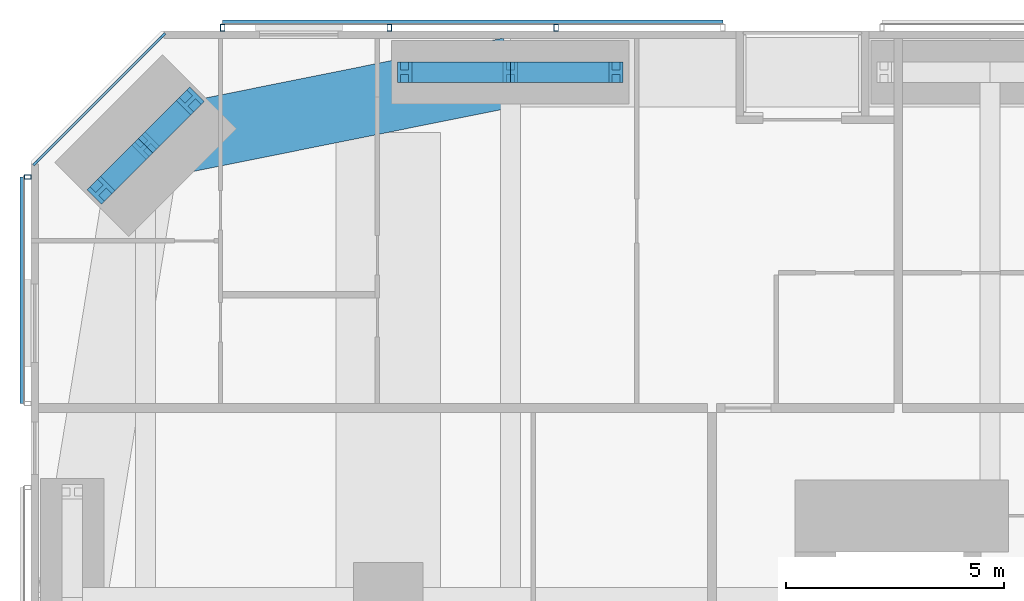
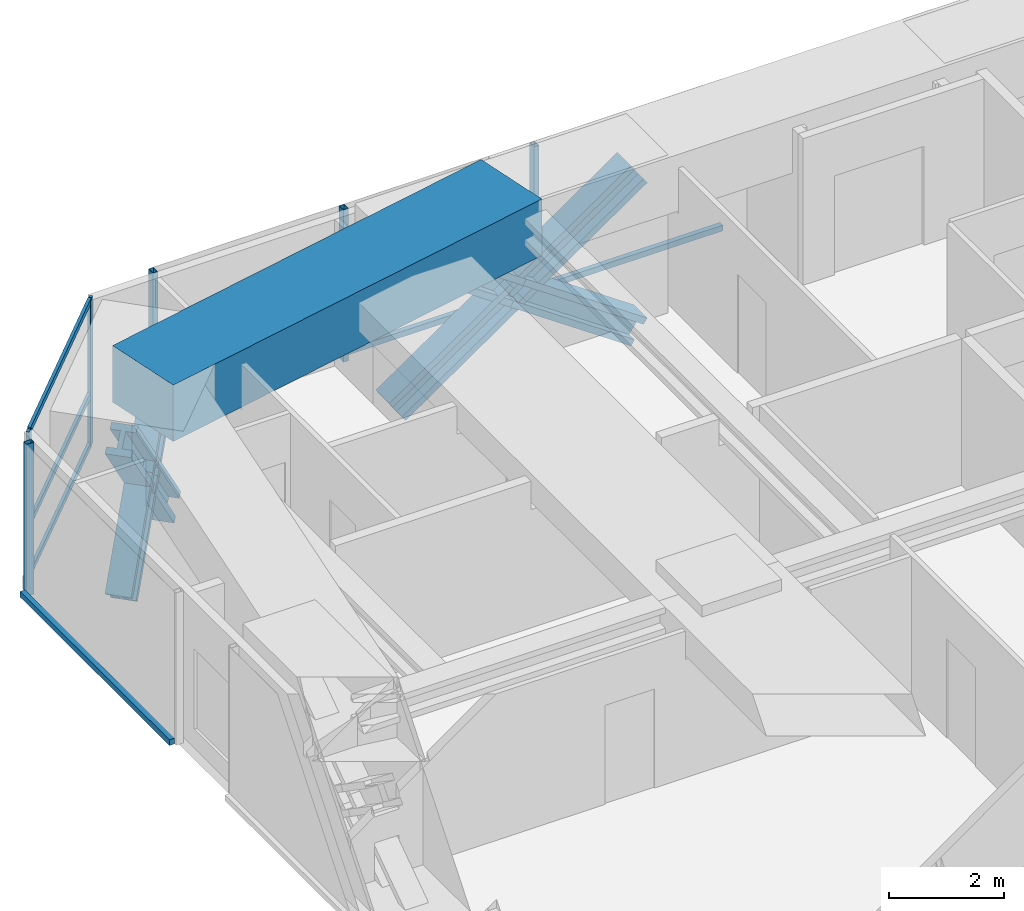
# One storey, part 12 of 24: 19 members, 1 beam, 3 elements without a shape of their own.
"""IFC4 building model written with IfcOpenShell, lengths in metres."""

from ifc_helpers import new_model, si_unit, direction, frame, origin, origin_2d, place, context, subcontext, project, spatial, rectangle, hollow_rectangle, i_section, extrude, material, material_profile, profile_set, type_object, element, aggregate, save


model = new_model("IFC4")

# Units and contexts
model_context = context("Model", 3, precision=1e-05, world=origin(), true_north=direction((0.0, 1.0)))
body_context = subcontext(model_context, "Body", "Model", "MODEL_VIEW")
ifc_project = project(units=[si_unit("LENGTHUNIT", "METRE"), si_unit("AREAUNIT", "SQUARE_METRE"), si_unit("VOLUMEUNIT", "CUBIC_METRE"), si_unit("PLANEANGLEUNIT", "RADIAN"), si_unit("MASSUNIT", "GRAM", prefix="KILO")], contexts=[model_context])

# Site, building, storey
site_placement = place(None, origin())
site = spatial("IfcSite", under=ifc_project, at=site_placement, CompositionType="ELEMENT")
building_placement = place(site_placement, origin())
building = spatial("IfcBuilding", under=site, at=building_placement, Name="Jalousie Tower", CompositionType="ELEMENT")
storey_placement = place(building_placement, frame((0.0, 0.0, 44.449951171875)))
storey = spatial("IfcBuildingStorey", under=building, at=storey_placement, Name="L11", CompositionType="ELEMENT", Elevation=44.449951171875)

# Curtain wall, members
ifc_material_1 = material(Name="Aluminium curtain wall", Category="aluminium")
curtain_wall_type_1 = type_object("IfcCurtainWallType", Name="CORNER WINDOW WALL", PredefinedType="USERDEFINED", material=ifc_material_1)
curtain_wall_1_placement = place(storey_placement, origin())
curtain_wall_1 = element("IfcCurtainWall", 1, at=curtain_wall_1_placement, inside=storey, type_object=curtain_wall_type_1, Name="Corner Window Wall L11 6", ObjectType="CORNER WINDOW WALL", PredefinedType="USERDEFINED")
ifc_material_2 = material(Name="Aluminium mullion", Category="aluminium")
ifc_material_profile_1 = material_profile(ifc_material_2, rectangle(XDim=0.06005859375, YDim=0.14990234375, at=origin_2d()), Name="MULLION 60x150")
ifc_profile_set_1 = profile_set([ifc_material_profile_1], Name="Aluminium mullion")
member_type_1 = type_object("IfcMemberType", Name="CORNER WINDOW WALL MULLION", PredefinedType="MULLION", material=ifc_profile_set_1)
member_1_placement = place(storey_placement, frame((5.030029296875, 37.891357421875, 0.0), z_axis=(0.0, 0.0, 1.0), x_axis=(0.707106781187, -0.707106781187, 0.0)))
member_1 = element("IfcMember", 2, at=member_1_placement, type_object=member_type_1, Name="CW-C mullion 1", PredefinedType="MULLION", context=body_context, shape_type="SweptSolid", body=[
    extrude(rectangle(XDim=0.06005859375, YDim=0.14990234375, at=origin_2d()), origin(), (0.0, 0.0, 1.0), 3.110107421875),
])
member_2_placement = place(storey_placement, frame((2.108642578125, 34.969970703125, 0.0), z_axis=(0.0, 0.0, 1.0), x_axis=(0.707106781187, -0.707106781187, 0.0)))
member_2 = element("IfcMember", 3, at=member_2_placement, type_object=member_type_1, Name="CW-C mullion 2", PredefinedType="MULLION", context=body_context, shape_type="SweptSolid", body=[
    extrude(rectangle(XDim=0.06005859375, YDim=0.14990234375, at=origin_2d()), origin(), (0.0, 0.0, 1.0), 3.110107421875),
])
ifc_material_3 = material(Name="Aluminium transom", Category="aluminium")
ifc_material_profile_2 = material_profile(ifc_material_3, rectangle(XDim=0.06005859375, YDim=0.1201171875, at=origin_2d()), Name="TRANSOM 60x120")
ifc_profile_set_2 = profile_set([ifc_material_profile_2], Name="Aluminium transom")
member_type_2 = type_object("IfcMemberType", Name="CORNER WINDOW WALL TRANSOM", PredefinedType="USERDEFINED", material=ifc_profile_set_2)
member_3_placement = place(storey_placement, frame((5.0087890625, 37.8701171875, 0.030029296875), z_axis=(-0.707106781187, -0.707106781187, 0.0), x_axis=(0.707106781187, -0.707106781187, 0.0)))
member_3 = element("IfcMember", 4, at=member_3_placement, type_object=member_type_2, Name="CW-C transom 1.1", ObjectType="TRANSOM", PredefinedType="USERDEFINED", context=body_context, shape_type="SweptSolid", body=[
    extrude(rectangle(XDim=0.06005859375, YDim=0.1201171875, at=origin_2d()), origin(), (0.0, 0.0, 1.0), 4.0712890625),
])
member_4_placement = place(storey_placement, frame((5.0087890625, 37.8701171875, 1.10009765625), z_axis=(-0.707106781187, -0.707106781187, 0.0), x_axis=(0.707106781187, -0.707106781187, 0.0)))
member_4 = element("IfcMember", 5, at=member_4_placement, type_object=member_type_2, Name="CW-C transom 1.2", ObjectType="TRANSOM", PredefinedType="USERDEFINED", context=body_context, shape_type="SweptSolid", body=[
    extrude(rectangle(XDim=0.06005859375, YDim=0.1201171875, at=origin_2d()), origin(), (0.0, 0.0, 1.0), 4.0712890625),
])
member_5_placement = place(storey_placement, frame((5.0087890625, 37.8701171875, 3.080078125), z_axis=(-0.707106781187, -0.707106781187, 0.0), x_axis=(0.707106781187, -0.707106781187, 0.0)))
member_5 = element("IfcMember", 6, at=member_5_placement, type_object=member_type_2, Name="CW-C transom 1.3", ObjectType="TRANSOM", PredefinedType="USERDEFINED", context=body_context, shape_type="SweptSolid", body=[
    extrude(rectangle(XDim=0.06005859375, YDim=0.1201171875, at=origin_2d()), origin(), (0.0, 0.0, 1.0), 4.0712890625),
])
aggregate(curtain_wall_1, [member_1, member_2, member_3, member_4, member_5])

# Members
ifc_material_4 = material(Name="Steel ASTM A992 Grade 50", Category="steel")
ifc_material_profile_3 = material_profile(ifc_material_4, i_section(OverallWidth=0.472412109375, OverallDepth=0.5791015625, WebThickness=0.094970703125, FlangeThickness=0.1298828125, at=origin_2d()), Name="W14X808")
ifc_profile_set_3 = profile_set([ifc_material_profile_3], Name="Steel ASTM A992 Grade 50")
member_type_3 = type_object("IfcMemberType", Name="PERIMETER BRACE W14X808", PredefinedType="BRACE", material=ifc_profile_set_3)
for number, where, z_axis, x_axis, name in (
    (7, (10.574951171875, 37.050048828125, -0.599853515625), (0.82283879777, 0.0, 0.568274856811), (0.0, 1.0, 0.0), "Perimeter brace 11 L11 part 1"),
    (8, (13.0, 37.050048828125, 1.074951171875), (0.822800062329, 0.0, 0.568330940062), (0.0, 1.0, 0.0), "Perimeter brace 11 L11 part 2"),
    (9, (15.425048828125, 37.050048828125, -0.599853515625), (-0.82283879777, 0.0, 0.568274856811), (0.0, -1.0, 0.0), "Perimeter brace 11 L11 part 3"),
    (10, (13.0, 37.050048828125, 1.074951171875), (-0.822800062329, 0.0, 0.568330940062), (0.0, -1.0, 0.0), "Perimeter brace 11 L11 part 4"),
):
    element("IfcMember", number, at=place(storey_placement, frame(where, z_axis=z_axis, x_axis=x_axis)), inside=storey, type_object=member_type_3, Name=name, PredefinedType="BRACE", context=body_context, shape_type="SweptSolid", body=[
        extrude(i_section(OverallWidth=0.472412109375, OverallDepth=0.5791015625, WebThickness=0.094970703125, FlangeThickness=0.1298828125, at=origin_2d()), origin(), (0.0, 0.0, 1.0), 2.947265625),
    ])
for number, where, z_axis, x_axis, name in (
    (11, (5.65673828125, 36.393798828125, -0.599853515625), (-0.462878559809, -0.462768350628, 0.756034981021), (0.707022586774, -0.707190965575, 0.0), "Perimeter brace 12 L11 part 1"),
    (12, (4.63134765625, 35.36865234375, 1.074951171875), (-0.462729793854, -0.462839993852, 0.756082189957), (0.707190965575, -0.707022586774, 0.0), "Perimeter brace 12 L11 part 2"),
    (13, (3.606201171875, 34.34326171875, -0.599853515625), (0.462768350628, 0.462878559809, 0.756034981021), (-0.707190965575, 0.707022586774, 0.0), "Perimeter brace 12 L11 part 3"),
    (14, (4.63134765625, 35.36865234375, 1.074951171875), (0.462839993852, 0.462729793854, 0.756082189957), (-0.707022586774, 0.707190965575, 0.0), "Perimeter brace 12 L11 part 4"),
):
    element("IfcMember", number, at=place(storey_placement, frame(where, z_axis=z_axis, x_axis=x_axis)), inside=storey, type_object=member_type_3, Name=name, PredefinedType="BRACE", context=body_context, shape_type="SweptSolid", body=[
        extrude(i_section(OverallWidth=0.472412109375, OverallDepth=0.5791015625, WebThickness=0.094970703125, FlangeThickness=0.1298828125, at=origin_2d()), origin(), (0.0, 0.0, 1.0), 2.21533203125),
    ])

# Beam
ifc_material_5 = material(Name="Concrete f'c 40 MPa", Category="concrete")
ifc_material_profile_4 = material_profile(ifc_material_5, rectangle(XDim=1.60009765625, YDim=1.199951171875, at=origin_2d()), Name="RC 1600x1200")
ifc_profile_set_4 = profile_set([ifc_material_profile_4], Name="Concrete f'c 40 MPa")
beam_type = type_object("IfcBeamType", Name="RC BEAM 1600x1200", PredefinedType="BEAM", material=ifc_profile_set_4)
beam_placement = place(storey_placement, frame((13.0, 37.050048828125, 2.75), z_axis=(-0.980407585444, -0.196979609107, 0.0), x_axis=(0.196979609107, -0.980407585444, 0.0)))
element("IfcBeam", 15, at=beam_placement, inside=storey, type_object=beam_type, Name="Edge band beam 11-12 under L12", PredefinedType="BEAM", context=body_context, shape_type="SweptSolid", body=[
    extrude(rectangle(XDim=1.60009765625, YDim=1.199951171875, at=origin_2d()), origin(), (0.0, 0.0, 1.0), 8.535888671875),
])

# Curtain wall, members
ifc_material_6 = material(Name="Perforated aluminium sheet", Category="aluminium")
curtain_wall_type_2 = type_object("IfcCurtainWallType", Name="SOLAR SCREEN SS-1", PredefinedType="USERDEFINED", material=ifc_material_6)
curtain_wall_2_placement = place(storey_placement, origin())
curtain_wall_2 = element("IfcCurtainWall", 16, at=curtain_wall_2_placement, inside=storey, type_object=curtain_wall_type_2, Name="Solar screen L11", ObjectType="SOLAR SCREEN SS-1", PredefinedType="USERDEFINED")
ifc_material_7 = material(Name="Steel ASTM A500 Grade C", Category="steel")
ifc_material_profile_5 = material_profile(ifc_material_7, hollow_rectangle(XDim=0.1015625, YDim=0.15234375, WallThickness=0.00634765625, at=origin_2d()), Name="HSS6X4X1/4")
ifc_profile_set_5 = profile_set([ifc_material_profile_5], Name="Steel ASTM A500 Grade C")
member_type_4 = type_object("IfcMemberType", Name="SOLAR SCREEN SS-1 MULLION", PredefinedType="MULLION", material=ifc_profile_set_5)
member_6_placement = place(storey_placement, frame((14.050048828125, 38.0712890625, -0.119873046875), z_axis=(0.0, 0.0, 1.0), x_axis=(-1.0, 0.0, 0.0)))
member_6 = element("IfcMember", 17, at=member_6_placement, type_object=member_type_4, Name="SS1 post 2", PredefinedType="MULLION", context=body_context, shape_type="SweptSolid", body=[
    extrude(hollow_rectangle(XDim=0.1015625, YDim=0.15234375, WallThickness=0.00634765625, at=origin_2d()), origin(), (0.0, 0.0, 1.0), 3.22998046875),
])
member_7_placement = place(storey_placement, frame((10.22509765625, 38.0712890625, -0.119873046875), z_axis=(0.0, 0.0, 1.0), x_axis=(-1.0, 0.0, 0.0)))
member_7 = element("IfcMember", 18, at=member_7_placement, type_object=member_type_4, Name="SS1 post 3", PredefinedType="MULLION", context=body_context, shape_type="SweptSolid", body=[
    extrude(hollow_rectangle(XDim=0.1015625, YDim=0.15234375, WallThickness=0.00634765625, at=origin_2d()), origin(), (0.0, 0.0, 1.0), 3.22998046875),
])
member_8_placement = place(storey_placement, frame((6.39990234375, 38.0712890625, -0.119873046875), z_axis=(0.0, 0.0, 1.0), x_axis=(-1.0, 0.0, 0.0)))
member_8 = element("IfcMember", 19, at=member_8_placement, type_object=member_type_4, Name="SS1 post 4", PredefinedType="MULLION", context=body_context, shape_type="SweptSolid", body=[
    extrude(hollow_rectangle(XDim=0.1015625, YDim=0.15234375, WallThickness=0.00634765625, at=origin_2d()), origin(), (0.0, 0.0, 1.0), 3.22998046875),
])

# Curtain wall, member
curtain_wall_3_placement = place(storey_placement, origin())
curtain_wall_3 = element("IfcCurtainWall", 20, at=curtain_wall_3_placement, inside=storey, type_object=curtain_wall_type_2, Name="Solar screen L11", ObjectType="SOLAR SCREEN SS-1", PredefinedType="USERDEFINED")
member_9_placement = place(storey_placement, frame((1.9287109375, 34.648681640625, -0.119873046875), z_axis=(0.0, 0.0, 1.0), x_axis=(0.0, -1.0, 0.0)))
member_9 = element("IfcMember", 21, at=member_9_placement, type_object=member_type_4, Name="SS1 post 1", PredefinedType="MULLION", context=body_context, shape_type="SweptSolid", body=[
    extrude(hollow_rectangle(XDim=0.1015625, YDim=0.15234375, WallThickness=0.00634765625, at=origin_2d()), origin(), (0.0, 0.0, 1.0), 3.22998046875),
])

# Member
ifc_material_8 = material(Name="Extruded aluminium screen rail", Category="aluminium")
ifc_material_profile_6 = material_profile(ifc_material_8, rectangle(XDim=0.1015625, YDim=0.1201171875, at=origin_2d()), Name="RAIL 102x120")
ifc_profile_set_6 = profile_set([ifc_material_profile_6], Name="Extruded aluminium screen rail")
member_type_5 = type_object("IfcMemberType", Name="SOLAR SCREEN SS-1 TRANSOM", PredefinedType="USERDEFINED", material=ifc_profile_set_6)
member_10_placement = place(storey_placement, frame((17.875, 38.1982421875, -0.06005859375), z_axis=(-1.0, 0.0, 0.0), x_axis=(0.0, -1.0, 0.0)))
member_10 = element("IfcMember", 22, at=member_10_placement, type_object=member_type_5, Name="SS1 rail", ObjectType="TRANSOM", PredefinedType="USERDEFINED", context=body_context, shape_type="SweptSolid", body=[
    extrude(rectangle(XDim=0.1015625, YDim=0.1201171875, at=origin_2d()), origin(), (0.0, 0.0, 1.0), 11.47509765625),
])

aggregate(curtain_wall_2, [member_6, member_7, member_8, member_10])

member_11_placement = place(storey_placement, frame((1.8017578125, 34.648681640625, -0.06005859375), z_axis=(0.0, -1.0, 0.0), x_axis=(1.0, 0.0, 0.0)))
member_11 = element("IfcMember", 23, at=member_11_placement, type_object=member_type_5, Name="SS1 rail", ObjectType="TRANSOM", PredefinedType="USERDEFINED", context=body_context, shape_type="SweptSolid", body=[
    extrude(rectangle(XDim=0.1015625, YDim=0.1201171875, at=origin_2d()), origin(), (0.0, 0.0, 1.0), 5.19873046875),
])

aggregate(curtain_wall_3, [member_9, member_11])

save(model, "model.ifc")
